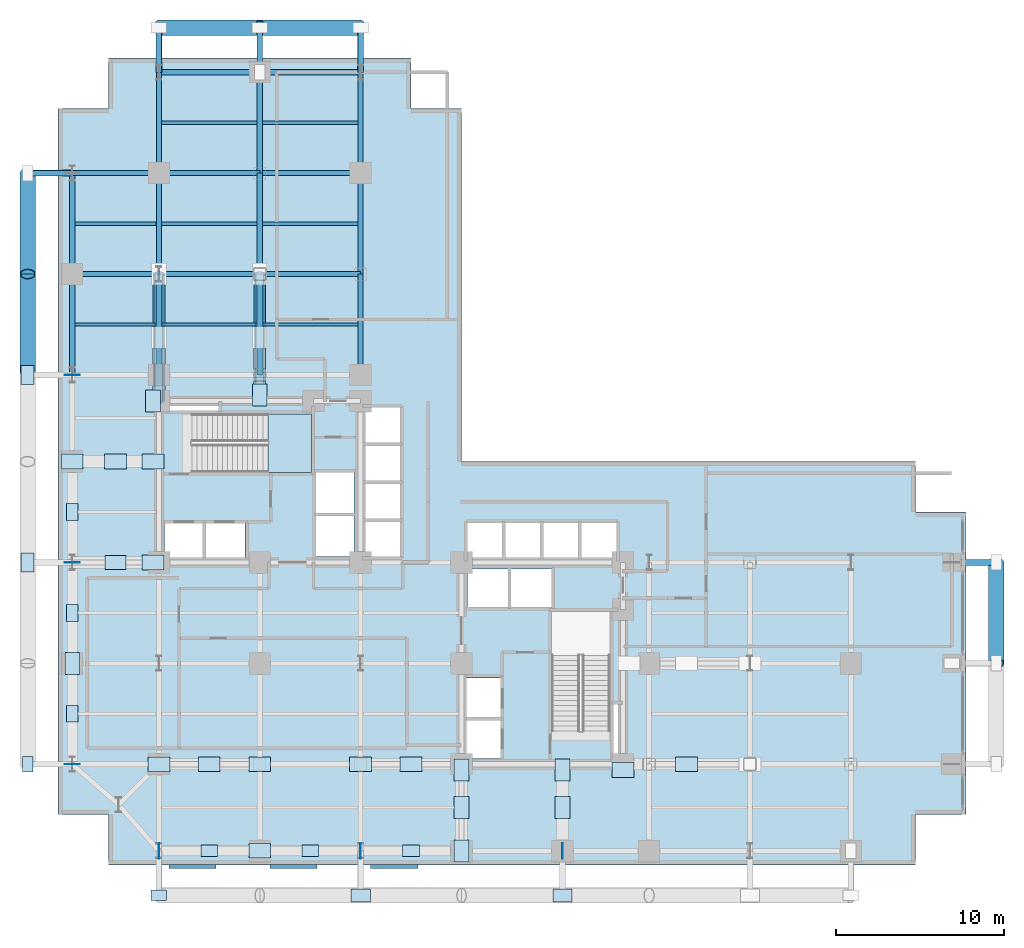
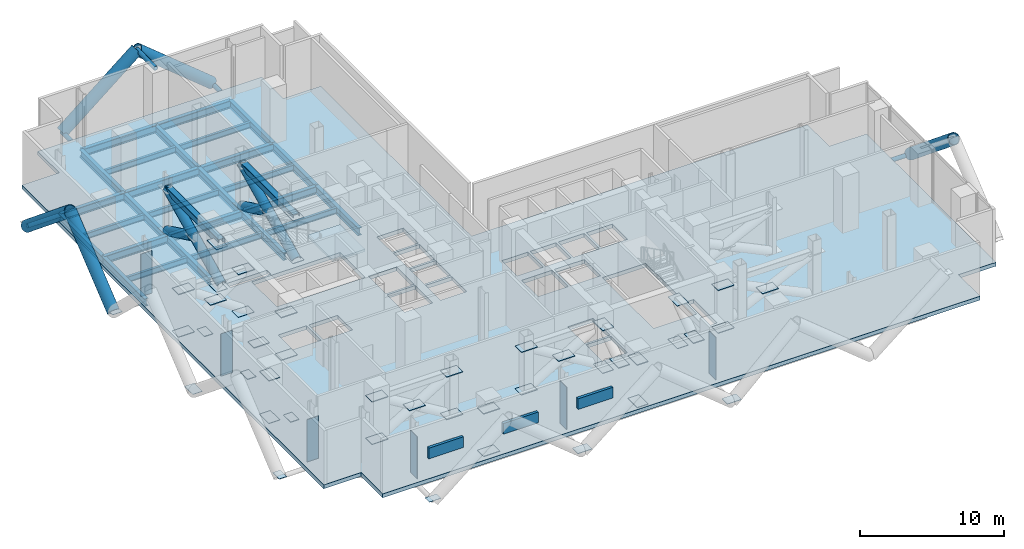
# One storey, part 6 of 10: 56 plates, 27 beams, 16 members, 2 slabs, 1 element without a shape of its own.
"""IFC4 building model written with IfcOpenShell, lengths in metres."""

from ifc_helpers import new_model, si_unit, direction, frame, origin, origin_2d, place, context, subcontext, project, spatial, polyline, rectangle, hollow_rectangle, hollow_circle, i_section, outline, extrude, material, layer, layer_set, material_profile, profile_set, type_object, element, aggregate, save


model = new_model("IFC4")

# Units and contexts
model_context = context("Model", 3, precision=1e-05, world=origin(), true_north=direction((0.0, 1.0)))
body_context = subcontext(model_context, "Body", "Model", "MODEL_VIEW")
ifc_project = project(units=[si_unit("LENGTHUNIT", "METRE"), si_unit("AREAUNIT", "SQUARE_METRE"), si_unit("VOLUMEUNIT", "CUBIC_METRE"), si_unit("PLANEANGLEUNIT", "RADIAN"), si_unit("MASSUNIT", "GRAM", prefix="KILO"), si_unit("THERMODYNAMICTEMPERATUREUNIT", "KELVIN"), si_unit("POWERUNIT", "WATT")], contexts=[model_context])

# Site, building, storey
site_placement = place(None, origin())
site = spatial("IfcSite", under=ifc_project, at=site_placement, CompositionType="ELEMENT")
building_placement = place(site_placement, origin())
building = spatial("IfcBuilding", under=site, at=building_placement, Name="Svarakhadi Broadcast Tower", CompositionType="ELEMENT")
storey_placement = place(building_placement, frame((0.0, 0.0, 94.800048828125)))
storey = spatial("IfcBuildingStorey", under=building, at=storey_placement, Name="L22", CompositionType="ELEMENT", Elevation=94.800048828125)

# Beams
ifc_material_1 = material(Name="Steel S355J2 (IS 2062 E350C)", Category="steel")
ifc_material_profile_1 = material_profile(ifc_material_1, i_section(OverallWidth=0.199951171875, OverallDepth=0.5, WebThickness=0.01025390625, FlangeThickness=0.01611328125, FilletRadius=0.02099609375, at=origin_2d()), Name="NPB 500x200x91")
ifc_profile_set_1 = profile_set([ifc_material_profile_1], Name="Steel S355J2 (IS 2062 E350C)")
beam_type_1 = type_object("IfcBeamType", Name="Beam_NPB500", PredefinedType="BEAM", material=ifc_profile_set_1)
for number, where, z_axis, x_axis, name in (
    (1, (1.010009765625, 32.14990234375, -0.574951171875), (1.0, 0.0, 0.0), (0.0, 1.0, 0.0), "L22 Secondary Composite Beam SB005"),
    (2, (1.010009765625, 38.14990234375, -0.574951171875), (1.0, 0.0, 0.0), (0.0, 1.0, 0.0), "L22 Secondary Composite Beam SB006"),
):
    element("IfcBeam", number, at=place(storey_placement, frame(where, z_axis=z_axis, x_axis=x_axis)), inside=storey, type_object=beam_type_1, Name=name, PredefinedType="BEAM", context=body_context, shape_type="SweptSolid", body=[
        extrude(i_section(OverallWidth=0.199951171875, OverallDepth=0.5, WebThickness=0.01025390625, FlangeThickness=0.01611328125, FilletRadius=0.02099609375, at=origin_2d()), origin(), (0.0, 0.0, 1.0), 4.830078125),
    ])
for number, where, z_axis, x_axis, name in (
    (3, (6.159912109375, 32.14990234375, -0.574951171875), (1.0, 0.0, 0.0), (0.0, 1.0, 0.0), "L22 Secondary Composite Beam SB010"),
    (4, (6.159912109375, 38.14990234375, -0.574951171875), (1.0, 0.0, 0.0), (0.0, 1.0, 0.0), "L22 Secondary Composite Beam SB011"),
    (5, (6.159912109375, 44.14990234375, -0.574951171875), (1.0, 0.0, 0.0), (0.0, 1.0, 0.0), "L22 Secondary Composite Beam SB012"),
    (6, (12.159912109375, 32.14990234375, -0.574951171875), (1.0, 0.0, 0.0), (0.0, 1.0, 0.0), "L22 Secondary Composite Beam SB016"),
    (7, (12.159912109375, 38.14990234375, -0.574951171875), (1.0, 0.0, 0.0), (0.0, 1.0, 0.0), "L22 Secondary Composite Beam SB017"),
    (8, (12.159912109375, 44.14990234375, -0.574951171875), (1.0, 0.0, 0.0), (0.0, 1.0, 0.0), "L22 Secondary Composite Beam SB018"),
):
    element("IfcBeam", number, at=place(storey_placement, frame(where, z_axis=z_axis, x_axis=x_axis)), inside=storey, type_object=beam_type_1, Name=name, PredefinedType="BEAM", context=body_context, shape_type="SweptSolid", body=[
        extrude(i_section(OverallWidth=0.199951171875, OverallDepth=0.5, WebThickness=0.01025390625, FlangeThickness=0.01611328125, FilletRadius=0.02099609375, at=origin_2d()), origin(), (0.0, 0.0, 1.0), 5.68017578125),
    ])

# Members
ifc_material_2 = material(Name="Steel S460ML (IS 2062 E450BR)", Category="steel")
ifc_material_profile_2 = material_profile(ifc_material_2, hollow_circle(Radius=0.45703125, WallThickness=0.044921875, at=origin_2d()), Name="CHS 914x45")
ifc_profile_set_2 = profile_set([ifc_material_profile_2], Name="Steel S460ML (IS 2062 E450BR)")
member_type_1 = type_object("IfcMemberType", Name="Exo_Brace_CHS914", PredefinedType="BRACE", material=ifc_profile_set_2)
for number, where, z_axis, x_axis, name in (
    (9, (-1.800048828125, 29.14990234375, -0.5029296875), (0.0, 0.773519586462, 0.633772395549), (-1.0, 0.0, 0.0), "L22 Exposed Bronze Exoskeleton Diagonal W12"),
    (10, (-1.800048828125, 41.14990234375, -0.5029296875), (0.0, -0.773519586462, 0.633772395549), (1.0, 0.0, 0.0), "L22 Exposed Bronze Exoskeleton Diagonal W13"),
    (11, (55.800048828125, 18.0, -0.5029296875), (0.0, -0.773519586462, 0.633772395549), (1.0, 0.0, 0.0), "L22 Exposed Bronze Exoskeleton Diagonal E15"),
    (12, (6.0, 49.800048828125, -0.5029296875), (0.773519586462, 0.0, 0.633772395549), (0.0, 1.0, 0.0), "L22 Exposed Bronze Exoskeleton Diagonal N16"),
    (13, (18.0, 49.800048828125, -0.5029296875), (-0.773519586462, 0.0, 0.633772395549), (0.0, -1.0, 0.0), "L22 Exposed Bronze Exoskeleton Diagonal N17"),
):
    element("IfcMember", number, at=place(storey_placement, frame(where, z_axis=z_axis, x_axis=x_axis)), inside=storey, type_object=member_type_1, Name=name, PredefinedType="BRACE", context=body_context, shape_type="SweptSolid", body=[
        extrude(hollow_circle(Radius=0.45703125, WallThickness=0.044921875, at=origin_2d()), origin(), (0.0, 0.0, 1.0), 7.7568359375),
    ])
ifc_material_profile_3 = material_profile(ifc_material_2, hollow_circle(Radius=0.177734375, WallThickness=0.02001953125, at=origin_2d()), Name="CHS 355.6x20")
ifc_profile_set_3 = profile_set([ifc_material_profile_3], Name="Steel S460ML (IS 2062 E450BR)")
member_type_2 = type_object("IfcMemberType", Name="Exo_Radial_Strut_Z1", PredefinedType="STRUT", material=ifc_profile_set_3)
for number, where, z_axis, x_axis, name in (
    (14, (-1.800048828125, 41.14990234375, -0.5029296875), (1.0, 0.0, 0.0), (0.0, 1.0, 0.0), "L22 Exoskeleton Radial Tie Strut W08"),
    (15, (55.800048828125, 18.0, -0.5029296875), (-1.0, 0.0, 0.0), (0.0, -1.0, 0.0), "L22 Exoskeleton Radial Tie Strut E10"),
    (16, (6.0, 49.800048828125, -0.5029296875), (0.0, -1.0, 0.0), (1.0, 0.0, 0.0), "L22 Exoskeleton Radial Tie Strut N11"),
    (17, (18.0, 49.800048828125, -0.5029296875), (0.0, -1.0, 0.0), (1.0, 0.0, 0.0), "L22 Exoskeleton Radial Tie Strut N12"),
    (18, (12.0, 49.800048828125, 4.4130859375), (0.0, -1.0, 0.0), (1.0, 0.0, 0.0), "L22 Exoskeleton Setback Top Radial Tie N01"),
):
    element("IfcMember", number, at=place(storey_placement, frame(where, z_axis=z_axis, x_axis=x_axis)), inside=storey, type_object=member_type_2, Name=name, PredefinedType="STRUT", context=body_context, shape_type="SweptSolid", body=[
        extrude(hollow_circle(Radius=0.177734375, WallThickness=0.02001953125, at=origin_2d()), origin(), (0.0, 0.0, 1.0), 2.650146484375),
    ])

# Beams
ifc_material_profile_4 = material_profile(ifc_material_1, i_section(OverallWidth=0.300048828125, OverallDepth=0.64990234375, WebThickness=0.01611328125, FlangeThickness=0.031005859375, FilletRadius=0.027099609375, at=origin_2d()), Name="WPB 650x300x225")
ifc_profile_set_4 = profile_set([ifc_material_profile_4], Name="Steel S355J2 (IS 2062 E350C)")
beam_type_2 = type_object("IfcBeamType", Name="Girder_WPB650", PredefinedType="USERDEFINED", material=ifc_profile_set_4)
beam_1_placement = place(storey_placement, frame((0.85009765625, 35.14990234375, -0.650146484375), z_axis=(1.0, 0.0, 0.0), x_axis=(0.0, 1.0, 0.0)))
element("IfcBeam", 19, at=beam_1_placement, inside=storey, type_object=beam_type_2, Name="L22 Primary E-W Girder G037", ObjectType="GIRDER", PredefinedType="USERDEFINED", context=body_context, shape_type="SweptSolid", body=[
    extrude(i_section(OverallWidth=0.300048828125, OverallDepth=0.64990234375, WebThickness=0.01611328125, FlangeThickness=0.031005859375, FilletRadius=0.027099609375, at=origin_2d()), origin(), (0.0, 0.0, 1.0), 5.14990234375),
])
for number, where, z_axis, x_axis, name in (
    (20, (6.0, 35.14990234375, -0.650146484375), (1.0, 0.0, 0.0), (0.0, 1.0, 0.0), "L22 Primary E-W Girder G038"),
    (21, (12.0, 35.14990234375, -0.650146484375), (1.0, 0.0, 0.0), (0.0, 1.0, 0.0), "L22 Primary E-W Girder G039"),
):
    element("IfcBeam", number, at=place(storey_placement, frame(where, z_axis=z_axis, x_axis=x_axis)), inside=storey, type_object=beam_type_2, Name=name, ObjectType="GIRDER", PredefinedType="USERDEFINED", context=body_context, shape_type="SweptSolid", body=[
        extrude(i_section(OverallWidth=0.300048828125, OverallDepth=0.64990234375, WebThickness=0.01611328125, FlangeThickness=0.031005859375, FilletRadius=0.027099609375, at=origin_2d()), origin(), (0.0, 0.0, 1.0), 6.0),
    ])
beam_2_placement = place(storey_placement, frame((0.85009765625, 41.14990234375, -0.650146484375), z_axis=(1.0, 0.0, 0.0), x_axis=(0.0, 1.0, 0.0)))
element("IfcBeam", 22, at=beam_2_placement, inside=storey, type_object=beam_type_2, Name="L22 Primary E-W Girder G040", ObjectType="GIRDER", PredefinedType="USERDEFINED", context=body_context, shape_type="SweptSolid", body=[
    extrude(i_section(OverallWidth=0.300048828125, OverallDepth=0.64990234375, WebThickness=0.01611328125, FlangeThickness=0.031005859375, FilletRadius=0.027099609375, at=origin_2d()), origin(), (0.0, 0.0, 1.0), 5.14990234375),
])
for number, where, z_axis, x_axis, name in (
    (23, (6.0, 41.14990234375, -0.650146484375), (1.0, 0.0, 0.0), (0.0, 1.0, 0.0), "L22 Primary E-W Girder G041"),
    (24, (12.0, 41.14990234375, -0.650146484375), (1.0, 0.0, 0.0), (0.0, 1.0, 0.0), "L22 Primary E-W Girder G042"),
    (25, (6.0, 47.14990234375, -0.650146484375), (1.0, 0.0, 0.0), (0.0, 1.0, 0.0), "L22 Primary E-W Girder G043"),
    (26, (12.0, 47.14990234375, -0.650146484375), (1.0, 0.0, 0.0), (0.0, 1.0, 0.0), "L22 Primary E-W Girder G044"),
    (27, (0.85009765625, 29.14990234375, -0.650146484375), (0.0, 1.0, 0.0), (-1.0, 0.0, 0.0), "L22 Primary N-S Girder G049"),
    (28, (0.85009765625, 35.14990234375, -0.650146484375), (0.0, 1.0, 0.0), (-1.0, 0.0, 0.0), "L22 Primary N-S Girder G050"),
    (29, (6.0, 29.14990234375, -0.650146484375), (0.0, 1.0, 0.0), (-1.0, 0.0, 0.0), "L22 Primary N-S Girder G055"),
    (30, (6.0, 35.14990234375, -0.650146484375), (0.0, 1.0, 0.0), (-1.0, 0.0, 0.0), "L22 Primary N-S Girder G056"),
    (31, (6.0, 41.14990234375, -0.650146484375), (0.0, 1.0, 0.0), (-1.0, 0.0, 0.0), "L22 Primary N-S Girder G057"),
    (32, (12.0, 29.14990234375, -0.650146484375), (0.0, 1.0, 0.0), (-1.0, 0.0, 0.0), "L22 Primary N-S Girder G061"),
    (33, (12.0, 35.14990234375, -0.650146484375), (0.0, 1.0, 0.0), (-1.0, 0.0, 0.0), "L22 Primary N-S Girder G062"),
    (34, (12.0, 41.14990234375, -0.650146484375), (0.0, 1.0, 0.0), (-1.0, 0.0, 0.0), "L22 Primary N-S Girder G063"),
    (35, (18.0, 29.14990234375, -0.650146484375), (0.0, 1.0, 0.0), (-1.0, 0.0, 0.0), "L22 Primary N-S Girder G068"),
    (36, (18.0, 35.14990234375, -0.650146484375), (0.0, 1.0, 0.0), (-1.0, 0.0, 0.0), "L22 Primary N-S Girder G069"),
    (37, (18.0, 41.14990234375, -0.650146484375), (0.0, 1.0, 0.0), (-1.0, 0.0, 0.0), "L22 Primary N-S Girder G070"),
):
    element("IfcBeam", number, at=place(storey_placement, frame(where, z_axis=z_axis, x_axis=x_axis)), inside=storey, type_object=beam_type_2, Name=name, ObjectType="GIRDER", PredefinedType="USERDEFINED", context=body_context, shape_type="SweptSolid", body=[
        extrude(i_section(OverallWidth=0.300048828125, OverallDepth=0.64990234375, WebThickness=0.01611328125, FlangeThickness=0.031005859375, FilletRadius=0.027099609375, at=origin_2d()), origin(), (0.0, 0.0, 1.0), 6.0),
    ])

# Members
ifc_material_profile_5 = material_profile(ifc_material_2, hollow_circle(Radius=0.35546875, WallThickness=0.034912109375, at=origin_2d()), Name="CHS 711x35")
ifc_profile_set_5 = profile_set([ifc_material_profile_5], Name="Steel S460ML (IS 2062 E450BR)")
member_type_3 = type_object("IfcMemberType", Name="Outrigger_Brace_OT01", PredefinedType="BRACE", material=ifc_profile_set_5)
member_1_placement = place(storey_placement, frame((6.0, 27.60009765625, 0.0), z_axis=(0.0, 0.901472102936, 0.432837206843), x_axis=(-1.0, 0.0, 0.0)))
element("IfcMember", 38, at=member_1_placement, inside=storey, type_object=member_type_3, Name="L22 Core-to-Perimeter Outrigger Truss Diagonal OT-03A", PredefinedType="BRACE", context=body_context, shape_type="SweptSolid", body=[
    extrude(hollow_circle(Radius=0.35546875, WallThickness=0.034912109375, at=origin_2d()), origin(), (0.0, 0.0, 1.0), 8.375),
])
member_2_placement = place(storey_placement, frame((6.0, 35.14990234375, 0.0), z_axis=(0.0, -0.901486267581, 0.432807704833), x_axis=(1.0, 0.0, 0.0)))
element("IfcMember", 39, at=member_2_placement, inside=storey, type_object=member_type_3, Name="L22 Core-to-Perimeter Outrigger Truss Diagonal OT-03B1", PredefinedType="BRACE", context=body_context, shape_type="SweptSolid", body=[
    extrude(hollow_circle(Radius=0.35546875, WallThickness=0.034912109375, at=origin_2d()), origin(), (0.0, 0.0, 1.0), 3.831787109375),
])
member_3_placement = place(storey_placement, frame((12.0, 27.60009765625, 0.0), z_axis=(0.0, 0.901472102936, 0.432837206843), x_axis=(-1.0, 0.0, 0.0)))
element("IfcMember", 40, at=member_3_placement, inside=storey, type_object=member_type_3, Name="L22 Core-to-Perimeter Outrigger Truss Diagonal OT-04A", PredefinedType="BRACE", context=body_context, shape_type="SweptSolid", body=[
    extrude(hollow_circle(Radius=0.35546875, WallThickness=0.034912109375, at=origin_2d()), origin(), (0.0, 0.0, 1.0), 8.375),
])
member_4_placement = place(storey_placement, frame((12.0, 35.14990234375, 0.0), z_axis=(0.0, -0.901486267581, 0.432807704833), x_axis=(1.0, 0.0, 0.0)))
element("IfcMember", 41, at=member_4_placement, inside=storey, type_object=member_type_3, Name="L22 Core-to-Perimeter Outrigger Truss Diagonal OT-04B1", PredefinedType="BRACE", context=body_context, shape_type="SweptSolid", body=[
    extrude(hollow_circle(Radius=0.35546875, WallThickness=0.034912109375, at=origin_2d()), origin(), (0.0, 0.0, 1.0), 3.831787109375),
])
ifc_material_profile_6 = material_profile(ifc_material_2, hollow_rectangle(XDim=0.5, YDim=0.5, WallThickness=0.02490234375, InnerFilletRadius=0.02490234375, OuterFilletRadius=0.0400390625, at=origin_2d()), Name="SHS 500x500x25")
ifc_profile_set_6 = profile_set([ifc_material_profile_6], Name="Steel S460ML (IS 2062 E450BR)")
member_type_4 = type_object("IfcMemberType", Name="Outrigger_Truss_Chord", PredefinedType="CHORD", material=ifc_profile_set_6)
for number, where, z_axis, x_axis, name in (
    (42, (6.0, 27.60009765625, 3.625), (0.0, 1.0, 0.0), (-1.0, 0.0, 0.0), "L22 Outrigger Truss Top Chord OC-03"),
    (43, (12.0, 27.60009765625, 3.625), (0.0, 1.0, 0.0), (-1.0, 0.0, 0.0), "L22 Outrigger Truss Top Chord OC-04"),
):
    element("IfcMember", number, at=place(storey_placement, frame(where, z_axis=z_axis, x_axis=x_axis)), inside=storey, type_object=member_type_4, Name=name, PredefinedType="CHORD", context=body_context, shape_type="SweptSolid", body=[
        extrude(hollow_rectangle(XDim=0.5, YDim=0.5, WallThickness=0.02490234375, InnerFilletRadius=0.02490234375, OuterFilletRadius=0.0400390625, at=origin_2d()), origin(), (0.0, 0.0, 1.0), 7.5498046875),
    ])

# Plates
ifc_layer_1 = layer(ifc_material_2, 0.030029296875)
ifc_layer_set_1 = layer_set([ifc_layer_1], Name="Steel S460ML (IS 2062 E450BR)")
plate_type_1 = type_object("IfcPlateType", Name="Belt_Node_BN01", PredefinedType="SHEET", material=ifc_layer_set_1)
for number, where, z_axis, x_axis, name in (
    (44, (9.0, 0.85009765625, 1.79736328125), (0.0, 0.0, 1.0), (1.0, 0.0, 0.0), "L22 Belt Truss Node Gusset Plate BN-01-01"),
    (45, (15.0, 0.85009765625, 1.79736328125), (0.0, 0.0, 1.0), (1.0, 0.0, 0.0), "L22 Belt Truss Node Gusset Plate BN-01-02"),
    (46, (21.0, 0.85009765625, 1.79736328125), (0.0, 0.0, 1.0), (1.0, 0.0, 0.0), "L22 Belt Truss Node Gusset Plate BN-01-03"),
    (47, (0.85009765625, 9.0, 1.79736328125), (0.0, 0.0, 1.0), (0.0, 1.0, 0.0), "L22 Belt Truss Node Gusset Plate BN-01-04"),
    (48, (0.85009765625, 15.0, 1.79736328125), (0.0, 0.0, 1.0), (0.0, 1.0, 0.0), "L22 Belt Truss Node Gusset Plate BN-01-05"),
    (49, (0.85009765625, 21.0, 1.79736328125), (0.0, 0.0, 1.0), (0.0, 1.0, 0.0), "L22 Belt Truss Node Gusset Plate BN-01-06"),
):
    element("IfcPlate", number, at=place(storey_placement, frame(where, z_axis=z_axis, x_axis=x_axis)), inside=storey, type_object=plate_type_1, Name=name, PredefinedType="SHEET", context=body_context, shape_type="SweptSolid", body=[
        extrude(rectangle(XDim=1.0, YDim=0.679931640625, at=origin_2d()), origin(), (0.0, 0.0, 1.0), 0.030029296875),
    ])
ifc_material_3 = material(Name="Anodised Bronze Aluminium AA 6063-T6", Category="aluminium")
ifc_layer_2 = layer(ifc_material_3, 0.89990234375)
ifc_layer_set_2 = layer_set([ifc_layer_2], Name="Anodised Bronze Aluminium AA 6063-T6")
plate_type_2 = type_object("IfcPlateType", Name="Louvre_Bronze_LV01", PredefinedType="USERDEFINED", material=ifc_layer_set_2)
for number, where, z_axis, x_axis, name in (
    (50, (8.0, -0.080078125, 1.83740234375), (0.0, 0.0, 1.0), (1.0, 0.0, 0.0), "L22 Acoustic Monsoon Intake Louvre LV-01-1"),
    (51, (14.0, -0.080078125, 1.83740234375), (0.0, 0.0, 1.0), (1.0, 0.0, 0.0), "L22 Acoustic Monsoon Intake Louvre LV-01-2"),
    (52, (20.0, -0.080078125, 1.83740234375), (0.0, 0.0, 1.0), (1.0, 0.0, 0.0), "L22 Acoustic Monsoon Intake Louvre LV-01-3"),
):
    element("IfcPlate", number, at=place(storey_placement, frame(where, z_axis=z_axis, x_axis=x_axis)), inside=storey, type_object=plate_type_2, Name=name, ObjectType="LOUVRE", PredefinedType="USERDEFINED", context=body_context, shape_type="SweptSolid", body=[
        extrude(rectangle(XDim=2.800048828125, YDim=0.219970703125, at=origin_2d()), origin(), (0.0, 0.0, 1.0), 0.89990234375),
    ])
ifc_layer_3 = layer(ifc_material_2, 0.035888671875)
ifc_layer_set_3 = layer_set([ifc_layer_3], Name="Steel S460ML (IS 2062 E450BR)")
plate_type_3 = type_object("IfcPlateType", Name="Node_Gusset_N01", PredefinedType="SHEET", material=ifc_layer_set_3)
for number, where, z_axis, x_axis, name in (
    (53, (18.0, -1.800048828125, -0.3251953125), (0.0, 0.0, 1.0), (1.0, 0.0, 0.0), "L22 Exoskeleton Gusset Node Plate S02"),
    (54, (30.0, -1.800048828125, -0.3251953125), (0.0, 0.0, 1.0), (1.0, 0.0, 0.0), "L22 Exoskeleton Gusset Node Plate S03"),
    (55, (-1.800048828125, 18.0, -0.3251953125), (0.0, 0.0, 1.0), (0.0, 1.0, 0.0), "L22 Exoskeleton Gusset Node Plate W06"),
    (56, (-1.800048828125, 29.14990234375, -0.3251953125), (0.0, 0.0, 1.0), (0.0, 1.0, 0.0), "L22 Exoskeleton Gusset Node Plate W07"),
):
    element("IfcPlate", number, at=place(storey_placement, frame(where, z_axis=z_axis, x_axis=x_axis)), inside=storey, type_object=plate_type_3, Name=name, PredefinedType="SHEET", context=body_context, shape_type="SweptSolid", body=[
        extrude(rectangle(XDim=1.14990234375, YDim=0.780029296875, at=origin_2d()), origin(), (0.0, 0.0, 1.0), 0.035888671875),
    ])
ifc_layer_4 = layer(ifc_material_2, 0.0400390625)
ifc_layer_set_4 = layer_set([ifc_layer_4], Name="Steel S460ML (IS 2062 E450BR)")
plate_type_4 = type_object("IfcPlateType", Name="Node_Gusset_N04", PredefinedType="SHEET", material=ifc_layer_set_4)
plate_placement = place(storey_placement, frame((3.425048828125, 18.0, 1.79248046875), z_axis=(0.0, 0.0, 1.0), x_axis=(1.0, 0.0, 0.0)))
element("IfcPlate", 57, at=plate_placement, inside=storey, type_object=plate_type_4, Name="L22 Outrigger Truss Crossing Gusset Plate N-04-01", PredefinedType="SHEET", context=body_context, shape_type="SweptSolid", body=[
    extrude(rectangle(XDim=1.25, YDim=0.85009765625, at=origin_2d()), origin(), (0.0, 0.0, 1.0), 0.0400390625),
])
ifc_layer_5 = layer(ifc_material_2, 0.02587890625)
ifc_layer_set_5 = layer_set([ifc_layer_5], Name="Steel S460ML (IS 2062 E450BR)")
plate_type_5 = type_object("IfcPlateType", Name="Node_Gusset_N07", PredefinedType="SHEET", material=ifc_layer_set_5)
for number, where, z_axis, x_axis, name in (
    (58, (6.0, -1.800048828125, -0.324951171875), (0.0, 0.0, 1.0), (1.0, 0.0, 0.0), "L22 Exoskeleton Gusset Node Plate S01"),
    (59, (-1.800048828125, 6.0, -0.324951171875), (0.0, 0.0, 1.0), (0.0, 1.0, 0.0), "L22 Exoskeleton Gusset Node Plate W05"),
):
    element("IfcPlate", number, at=place(storey_placement, frame(where, z_axis=z_axis, x_axis=x_axis)), inside=storey, type_object=plate_type_5, Name=name, PredefinedType="SHEET", context=body_context, shape_type="SweptSolid", body=[
        extrude(rectangle(XDim=0.919921875, YDim=0.6201171875, at=origin_2d()), origin(), (0.0, 0.0, 1.0), 0.02587890625),
    ])
for number, where, z_axis, x_axis, name in (
    (60, (6.0, 0.85009765625, -0.70263671875), (0.0, 0.0, 1.0), (0.0, 1.0, 0.0), "L22 Brace End Connection Gusset Plate N-07-E0167"),
    (61, (18.0, 0.85009765625, -0.70263671875), (0.0, 0.0, 1.0), (0.0, 1.0, 0.0), "L22 Brace End Connection Gusset Plate N-07-E0168"),
    (62, (30.0, 0.85009765625, -0.70263671875), (0.0, 0.0, 1.0), (0.0, 1.0, 0.0), "L22 Brace End Connection Gusset Plate N-07-E0169"),
    (63, (0.85009765625, 6.0, -0.70263671875), (0.0, 0.0, 1.0), (1.0, 0.0, 0.0), "L22 Brace End Connection Gusset Plate N-07-E0173"),
    (64, (0.85009765625, 18.0, -0.70263671875), (0.0, 0.0, 1.0), (1.0, 0.0, 0.0), "L22 Brace End Connection Gusset Plate N-07-E0174"),
    (65, (0.85009765625, 29.14990234375, -0.70263671875), (0.0, 0.0, 1.0), (1.0, 0.0, 0.0), "L22 Brace End Connection Gusset Plate N-07-E0175"),
):
    element("IfcPlate", number, at=place(storey_placement, frame(where, z_axis=z_axis, x_axis=x_axis)), inside=storey, type_object=plate_type_5, Name=name, PredefinedType="SHEET", context=body_context, shape_type="SweptSolid", body=[
        extrude(rectangle(XDim=0.919921875, YDim=0.02587890625, at=origin_2d()), origin(), (0.0, 0.0, 1.0), 4.300048828125),
    ])
ifc_layer_6 = layer(ifc_material_2, 0.0419921875)
ifc_layer_set_6 = layer_set([ifc_layer_6], Name="Steel S460ML (IS 2062 E450BR)")
plate_type_6 = type_object("IfcPlateType", Name="Outrigger_Node_ON01", PredefinedType="SHEET", material=ifc_layer_set_6)
for number, where, z_axis, x_axis, name in (
    (66, (3.425048828125, 24.0, 1.79150390625), (0.0, 0.0, 1.0), (1.0, 0.0, 0.0), "L22 Outrigger Truss Crossing Gusset Plate ON-01-02"),
    (67, (24.0, 3.425048828125, 1.79150390625), (0.0, 0.0, 1.0), (0.0, 1.0, 0.0), "L22 Outrigger Truss Crossing Gusset Plate ON-01-05"),
    (68, (30.0, 3.425048828125, 1.79150390625), (0.0, 0.0, 1.0), (0.0, 1.0, 0.0), "L22 Outrigger Truss Crossing Gusset Plate ON-01-06"),
    (69, (37.375, 6.0, 1.79150390625), (0.0, 0.0, 1.0), (1.0, 0.0, 0.0), "L22 Outrigger Truss Crossing Gusset Plate ON-01-07"),
    (70, (21.0, 6.0, 1.79150390625), (0.0, 0.0, 1.0), (1.0, 0.0, 0.0), "L22 Outrigger Truss Crossing Gusset Plate ON-01-09"),
    (71, (9.0, 6.0, 1.79150390625), (0.0, 0.0, 1.0), (1.0, 0.0, 0.0), "L22 Outrigger Truss Crossing Gusset Plate ON-01-10"),
    (72, (5.64990234375, 18.0, -0.02099609375), (0.0, 0.0, 1.0), (1.0, 0.0, 0.0), "L22 Brace End Connection Gusset Plate ON-01-E0605"),
    (73, (5.64990234375, 18.0, 3.60400390625), (0.0, 0.0, 1.0), (1.0, 0.0, 0.0), "L22 Brace End Connection Gusset Plate ON-01-E0606"),
    (74, (5.64990234375, 24.0, -0.02099609375), (0.0, 0.0, 1.0), (1.0, 0.0, 0.0), "L22 Brace End Connection Gusset Plate ON-01-E0607"),
    (75, (0.85009765625, 24.0, 3.60400390625), (0.0, 0.0, 1.0), (1.0, 0.0, 0.0), "L22 Brace End Connection Gusset Plate ON-01-E0608"),
    (76, (0.85009765625, 24.0, -0.02099609375), (0.0, 0.0, 1.0), (1.0, 0.0, 0.0), "L22 Brace End Connection Gusset Plate ON-01-E0609"),
    (77, (5.64990234375, 24.0, 3.60400390625), (0.0, 0.0, 1.0), (1.0, 0.0, 0.0), "L22 Brace End Connection Gusset Plate ON-01-E0610"),
    (78, (5.64990234375, 27.60009765625, -0.02099609375), (0.0, 0.0, 1.0), (0.0, 1.0, 0.0), "L22 Brace End Connection Gusset Plate ON-01-E0611"),
    (79, (5.64990234375, 27.60009765625, 3.60400390625), (0.0, 0.0, 1.0), (0.0, 1.0, 0.0), "L22 Brace End Connection Gusset Plate ON-01-E0614"),
    (80, (12.0, 27.949951171875, -0.02099609375), (0.0, 0.0, 1.0), (0.0, 1.0, 0.0), "L22 Brace End Connection Gusset Plate ON-01-E0615"),
    (81, (12.0, 27.949951171875, 3.60400390625), (0.0, 0.0, 1.0), (0.0, 1.0, 0.0), "L22 Brace End Connection Gusset Plate ON-01-E0618"),
    (82, (24.0, 5.64990234375, -0.02099609375), (0.0, 0.0, 1.0), (0.0, 1.0, 0.0), "L22 Brace End Connection Gusset Plate ON-01-E0619"),
    (83, (24.0, 0.85009765625, 3.60400390625), (0.0, 0.0, 1.0), (0.0, 1.0, 0.0), "L22 Brace End Connection Gusset Plate ON-01-E0620"),
    (84, (24.0, 0.85009765625, -0.02099609375), (0.0, 0.0, 1.0), (0.0, 1.0, 0.0), "L22 Brace End Connection Gusset Plate ON-01-E0621"),
    (85, (24.0, 5.64990234375, 3.60400390625), (0.0, 0.0, 1.0), (0.0, 1.0, 0.0), "L22 Brace End Connection Gusset Plate ON-01-E0622"),
    (86, (30.0, 5.64990234375, -0.02099609375), (0.0, 0.0, 1.0), (0.0, 1.0, 0.0), "L22 Brace End Connection Gusset Plate ON-01-E0623"),
    (87, (30.0, 5.64990234375, 3.60400390625), (0.0, 0.0, 1.0), (0.0, 1.0, 0.0), "L22 Brace End Connection Gusset Plate ON-01-E0624"),
    (88, (33.60009765625, 5.64990234375, -0.02099609375), (0.0, 0.0, 1.0), (1.0, 0.0, 0.0), "L22 Brace End Connection Gusset Plate ON-01-E0625"),
    (89, (33.60009765625, 5.64990234375, 3.60400390625), (0.0, 0.0, 1.0), (1.0, 0.0, 0.0), "L22 Brace End Connection Gusset Plate ON-01-E0628"),
    (90, (18.0, 6.0, -0.02099609375), (0.0, 0.0, 1.0), (1.0, 0.0, 0.0), "L22 Brace End Connection Gusset Plate ON-01-E0633"),
    (91, (18.0, 6.0, 3.60400390625), (0.0, 0.0, 1.0), (1.0, 0.0, 0.0), "L22 Brace End Connection Gusset Plate ON-01-E0634"),
    (92, (6.0, 6.0, -0.02099609375), (0.0, 0.0, 1.0), (1.0, 0.0, 0.0), "L22 Brace End Connection Gusset Plate ON-01-E0635"),
    (93, (12.0, 6.0, 3.60400390625), (0.0, 0.0, 1.0), (1.0, 0.0, 0.0), "L22 Brace End Connection Gusset Plate ON-01-E0636"),
    (94, (12.0, 6.0, -0.02099609375), (0.0, 0.0, 1.0), (1.0, 0.0, 0.0), "L22 Brace End Connection Gusset Plate ON-01-E0637"),
    (95, (6.0, 6.0, 3.60400390625), (0.0, 0.0, 1.0), (1.0, 0.0, 0.0), "L22 Brace End Connection Gusset Plate ON-01-E0638"),
    (96, (12.0, 0.85009765625, 3.60400390625), (0.0, 0.0, 1.0), (1.0, 0.0, 0.0), "L22 Brace End Connection Gusset Plate ON-01-E0639"),
    (97, (12.0, 0.85009765625, -0.02099609375), (0.0, 0.0, 1.0), (1.0, 0.0, 0.0), "L22 Brace End Connection Gusset Plate ON-01-E0640"),
    (98, (0.85009765625, 12.0, 3.60400390625), (0.0, 0.0, 1.0), (0.0, 1.0, 0.0), "L22 Brace End Connection Gusset Plate ON-01-E0641"),
    (99, (0.85009765625, 12.0, -0.02099609375), (0.0, 0.0, 1.0), (0.0, 1.0, 0.0), "L22 Brace End Connection Gusset Plate ON-01-E0642"),
):
    element("IfcPlate", number, at=place(storey_placement, frame(where, z_axis=z_axis, x_axis=x_axis)), inside=storey, type_object=plate_type_6, Name=name, PredefinedType="SHEET", context=body_context, shape_type="SweptSolid", body=[
        extrude(rectangle(XDim=1.300048828125, YDim=0.8798828125, at=origin_2d()), origin(), (0.0, 0.0, 1.0), 0.0419921875),
    ])

# Slab
ifc_material_4 = material(Name="Concrete C50/60 (IS 456 M60)", Category="concrete")
ifc_layer_7 = layer(ifc_material_4, 0.324951171875)
ifc_layer_set_7 = layer_set([ifc_layer_7], Name="Concrete C50/60 (IS 456 M60)")
slab_type_1 = type_object("IfcSlabType", Name="Slab_Floor_325", PredefinedType="FLOOR", material=ifc_layer_set_7)
slab_1_placement = place(storey_placement, frame((0.0, 0.0, -0.324951171875)))
element("IfcSlab", 100, at=slab_1_placement, inside=storey, type_object=slab_type_1, Name="L22 Structural Floor Slab", PredefinedType="FLOOR", context=body_context, shape_type="SweptSolid", body=[
    extrude(outline(polyline([(3.0, 0.0), (51.0, 0.0), (51.0, 3.0), (54.0, 3.0), (54.0, 21.0), (51.0, 21.0), (51.0, 24.0), (24.0, 24.0), (24.0, 45.0), (21.0, 45.0), (21.0, 48.0), (3.0, 48.0), (3.0, 45.0), (0.0, 45.0), (0.0, 3.0), (3.0, 3.0), (3.0, 0.0)]), holes=[polyline([(7.97998046875, 23.360107421875), (15.080078125, 23.360107421875), (15.080078125, 26.840087890625), (7.97998046875, 26.840087890625), (7.97998046875, 23.360107421875)]), polyline([(32.840087890625, 7.97998046875), (32.840087890625, 15.080078125), (29.360107421875, 15.080078125), (29.360107421875, 7.97998046875), (32.840087890625, 7.97998046875)]), polyline([(6.340087890625, 18.2900390625), (8.610107421875, 18.2900390625), (8.610107421875, 20.330078125), (6.340087890625, 20.330078125), (6.340087890625, 18.2900390625)]), polyline([(8.7900390625, 18.2900390625), (11.1298828125, 18.2900390625), (11.1298828125, 20.330078125), (8.7900390625, 20.330078125), (8.7900390625, 18.2900390625)]), polyline([(24.2900390625, 6.340087890625), (26.330078125, 6.340087890625), (26.330078125, 8.610107421875), (24.2900390625, 8.610107421875), (24.2900390625, 6.340087890625)]), polyline([(24.2900390625, 8.7900390625), (26.330078125, 8.7900390625), (26.330078125, 11.1298828125), (24.2900390625, 11.1298828125), (24.2900390625, 8.7900390625)]), polyline([(6.340087890625, 26.989990234375), (9.610107421875, 26.989990234375), (9.610107421875, 27.530029296875), (6.340087890625, 27.530029296875), (6.340087890625, 26.989990234375)]), polyline([(32.989990234375, 6.340087890625), (33.530029296875, 6.340087890625), (33.530029296875, 9.610107421875), (32.989990234375, 9.610107421875), (32.989990234375, 6.340087890625)]), polyline([(15.340087890625, 18.340087890625), (17.610107421875, 18.340087890625), (17.610107421875, 20.760009765625), (15.340087890625, 20.760009765625), (15.340087890625, 18.340087890625)]), polyline([(15.340087890625, 20.93994140625), (17.610107421875, 20.93994140625), (17.610107421875, 23.360107421875), (15.340087890625, 23.360107421875), (15.340087890625, 20.93994140625)]), polyline([(24.340087890625, 15.340087890625), (26.760009765625, 15.340087890625), (26.760009765625, 17.610107421875), (24.340087890625, 17.610107421875), (24.340087890625, 15.340087890625)]), polyline([(26.93994140625, 15.340087890625), (29.360107421875, 15.340087890625), (29.360107421875, 17.610107421875), (26.93994140625, 17.610107421875), (26.93994140625, 15.340087890625)]), polyline([(18.239990234375, 18.340087890625), (20.360107421875, 18.340087890625), (20.360107421875, 20.429931640625), (18.239990234375, 20.429931640625), (18.239990234375, 18.340087890625)]), polyline([(18.239990234375, 20.610107421875), (20.360107421875, 20.610107421875), (20.360107421875, 22.679931640625), (18.239990234375, 22.679931640625), (18.239990234375, 20.610107421875)]), polyline([(18.239990234375, 22.860107421875), (20.360107421875, 22.860107421875), (20.360107421875, 24.929931640625), (18.239990234375, 24.929931640625), (18.239990234375, 22.860107421875)]), polyline([(18.239990234375, 25.110107421875), (20.360107421875, 25.110107421875), (20.360107421875, 27.2099609375), (18.239990234375, 27.2099609375), (18.239990234375, 25.110107421875)]), polyline([(24.340087890625, 18.239990234375), (26.429931640625, 18.239990234375), (26.429931640625, 20.360107421875), (24.340087890625, 20.360107421875), (24.340087890625, 18.239990234375)]), polyline([(26.610107421875, 18.239990234375), (28.679931640625, 18.239990234375), (28.679931640625, 20.360107421875), (26.610107421875, 20.360107421875), (26.610107421875, 18.239990234375)]), polyline([(28.860107421875, 18.239990234375), (30.929931640625, 18.239990234375), (30.929931640625, 20.360107421875), (28.860107421875, 20.360107421875), (28.860107421875, 18.239990234375)]), polyline([(31.110107421875, 18.239990234375), (33.2099609375, 18.239990234375), (33.2099609375, 20.360107421875), (31.110107421875, 20.360107421875), (31.110107421875, 18.239990234375)])]), origin(), (0.0, 0.0, 1.0), 0.324951171875),
])

# Stair, slab
ifc_material_5 = material(Name="Concrete C40/50 (IS 456 M50)", Category="concrete")
stair_type = type_object("IfcStairType", Name="Stair_Exit_Core", PredefinedType="HALF_TURN_STAIR", material=ifc_material_5)
stair_placement = place(storey_placement, origin())
stair = element("IfcStair", 101, at=stair_placement, inside=storey, type_object=stair_type, Name="L22 West Core Protected Exit Stair ST-01", PredefinedType="HALF_TURN_STAIR")
ifc_layer_8 = layer(ifc_material_5, 0.199951171875)
ifc_layer_set_8 = layer_set([ifc_layer_8], Name="Concrete C40/50 (IS 456 M50)")
slab_type_2 = type_object("IfcSlabType", Name="Slab_Stair_Land", PredefinedType="LANDING", material=ifc_layer_set_8)
slab_2_placement = place(storey_placement, frame((0.0, 0.0, 2.199951171875)))
slab_2 = element("IfcSlab", 102, at=slab_2_placement, type_object=slab_type_2, Name="ST-01 landing 1", PredefinedType="LANDING", context=body_context, shape_type="SweptSolid", body=[
    extrude(outline(polyline([(12.47998046875, 23.360107421875), (15.080078125, 23.360107421875), (15.080078125, 26.840087890625), (12.47998046875, 26.840087890625), (12.47998046875, 23.360107421875)])), origin(), (0.0, 0.0, 1.0), 0.199951171875),
])
aggregate(stair, [slab_2])

save(model, "model.ifc")
